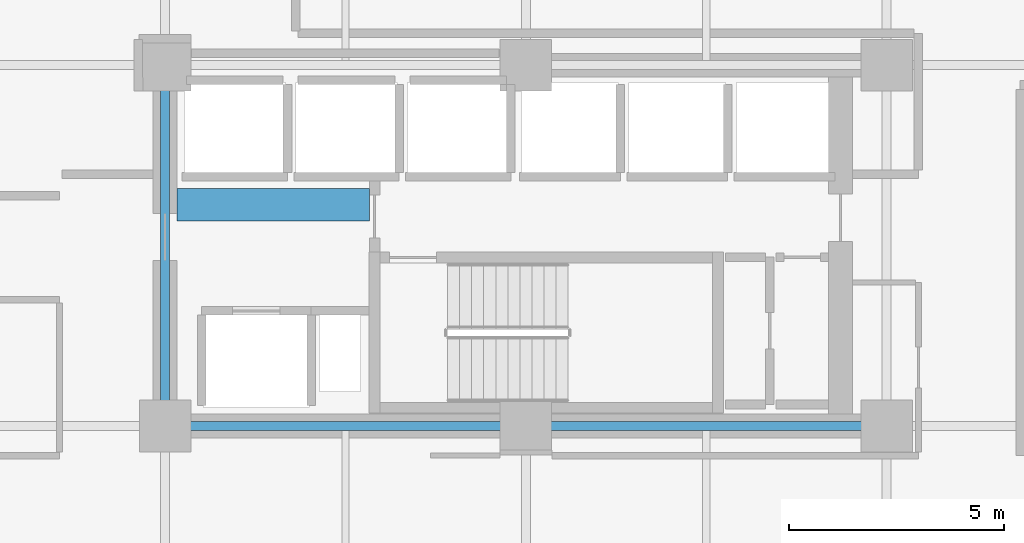
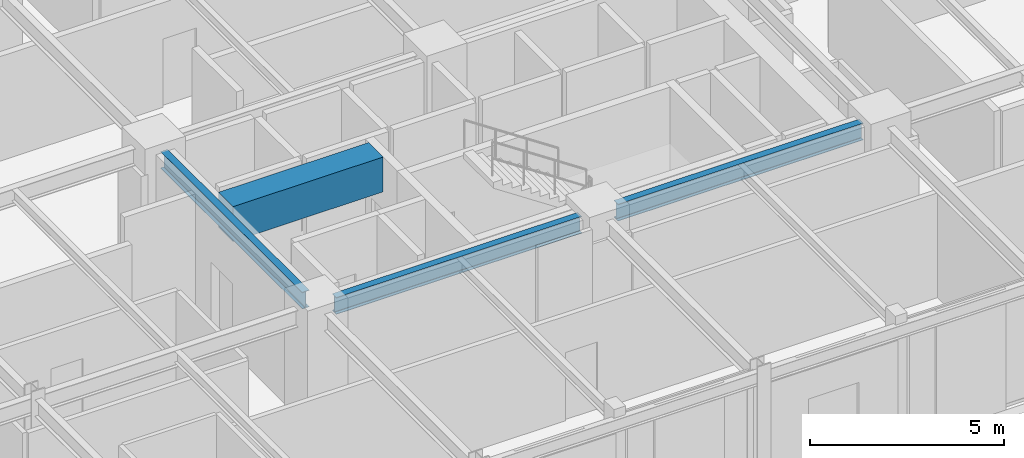
# One storey, part 10 of 38: 4 beams.
"""IFC4 building model written with IfcOpenShell, lengths in metres."""

from ifc_helpers import new_model, si_unit, direction, frame, origin, origin_2d, place, context, subcontext, project, spatial, rectangle, i_section, extrude, material, material_profile, profile_set, type_object, element, save


model = new_model("IFC4")

# Units and contexts
model_context = context("Model", 3, precision=1e-05, world=origin(), true_north=direction((0.0, 1.0)))
body_context = subcontext(model_context, "Body", "Model", "MODEL_VIEW")
ifc_project = project(units=[si_unit("LENGTHUNIT", "METRE"), si_unit("AREAUNIT", "SQUARE_METRE"), si_unit("VOLUMEUNIT", "CUBIC_METRE"), si_unit("PLANEANGLEUNIT", "RADIAN"), si_unit("MASSUNIT", "GRAM", prefix="KILO")], contexts=[model_context])

# Site, building, storey
site_placement = place(None, origin())
site = spatial("IfcSite", under=ifc_project, at=site_placement, CompositionType="ELEMENT")
building_placement = place(site_placement, origin())
building = spatial("IfcBuilding", under=site, at=building_placement, Name="Nerrivon Quay Data Exchange", CompositionType="ELEMENT")
storey_placement = place(building_placement, frame((0.0, 0.0, 96.699951171875)))
storey = spatial("IfcBuildingStorey", under=building, at=storey_placement, Name="L22", CompositionType="ELEMENT", Elevation=96.699951171875)

# Beams
ifc_material_1 = material(Name="Concrete S65 (65 MPa)", Category="concrete")
ifc_material_profile_1 = material_profile(ifc_material_1, rectangle(XDim=0.75, YDim=1.10009765625, at=origin_2d()), Name="RC-CB-750x1100")
ifc_profile_set_1 = profile_set([ifc_material_profile_1], Name="Concrete S65 (65 MPa)")
beam_type_1 = type_object("IfcBeamType", Name="BM-CB1-750x1100", PredefinedType="LINTEL", material=ifc_profile_set_1)
beam_1_placement = place(storey_placement, frame((17.074951171875, 13.550048828125, 3.275146484375), z_axis=(1.0, 0.0, 0.0), x_axis=(0.0, 1.0, 0.0)))
element("IfcBeam", 1, at=beam_1_placement, inside=storey, type_object=beam_type_1, Name="L22 East Core Coupling Beam", PredefinedType="LINTEL", context=body_context, shape_type="SweptSolid", body=[
    extrude(rectangle(XDim=0.75, YDim=1.10009765625, at=origin_2d()), origin(), (0.0, 0.0, 1.0), 4.47998046875),
])
ifc_material_2 = material(Name="Steel Grade 350", Category="steel")
ifc_material_profile_2 = material_profile(ifc_material_2, i_section(OverallWidth=0.208984375, OverallDepth=0.532958984375, WebThickness=0.01025390625, FlangeThickness=0.015625, FilletRadius=0.013916015625, at=origin_2d()), Name="530UB92.4")
ifc_profile_set_2 = profile_set([ifc_material_profile_2], Name="Steel Grade 350")
beam_type_2 = type_object("IfcBeamType", Name="BM-G3-530UB92", PredefinedType="BEAM", material=ifc_profile_set_2)
beam_2_placement = place(storey_placement, frame((17.340087890625, 8.39990234375, 3.55859375), z_axis=(1.0, 0.0, 0.0), x_axis=(0.0, 1.0, 0.0)))
element("IfcBeam", 2, at=beam_2_placement, inside=storey, type_object=beam_type_2, Name="L22 EW Girder Y=8.4 (16.8..25.2)", PredefinedType="BEAM", context=body_context, shape_type="SweptSolid", body=[
    extrude(i_section(OverallWidth=0.208984375, OverallDepth=0.532958984375, WebThickness=0.01025390625, FlangeThickness=0.015625, FilletRadius=0.013916015625, at=origin_2d()), origin(), (0.0, 0.0, 1.0), 7.31982421875),
])
beam_3_placement = place(storey_placement, frame((25.739990234375, 8.39990234375, 3.55859375), z_axis=(1.0, 0.0, 0.0), x_axis=(0.0, 1.0, 0.0)))
element("IfcBeam", 3, at=beam_3_placement, inside=storey, type_object=beam_type_2, Name="L22 EW Girder Y=8.4 (25.2..33.6)", PredefinedType="BEAM", context=body_context, shape_type="SweptSolid", body=[
    extrude(i_section(OverallWidth=0.208984375, OverallDepth=0.532958984375, WebThickness=0.01025390625, FlangeThickness=0.015625, FilletRadius=0.013916015625, at=origin_2d()), origin(), (0.0, 0.0, 1.0), 7.320068359375),
])
ifc_material_profile_3 = material_profile(ifc_material_2, i_section(OverallWidth=0.208984375, OverallDepth=0.528076171875, WebThickness=0.009521484375, FlangeThickness=0.01318359375, FilletRadius=0.013916015625, at=origin_2d()), Name="530UB82.0")
ifc_profile_set_3 = profile_set([ifc_material_profile_3], Name="Steel Grade 350")
beam_type_3 = type_object("IfcBeamType", Name="BM-G4-530UB82", PredefinedType="BEAM", material=ifc_profile_set_3)
beam_4_placement = place(storey_placement, frame((16.800048828125, 8.93994140625, 3.56103515625), z_axis=(0.0, 1.0, 0.0), x_axis=(-1.0, 0.0, 0.0)))
element("IfcBeam", 4, at=beam_4_placement, inside=storey, type_object=beam_type_3, Name="L22 NS Girder X=16.8 (8.4..16.8)", PredefinedType="BEAM", context=body_context, shape_type="SweptSolid", body=[
    extrude(i_section(OverallWidth=0.208984375, OverallDepth=0.528076171875, WebThickness=0.009521484375, FlangeThickness=0.01318359375, FilletRadius=0.013916015625, at=origin_2d()), origin(), (0.0, 0.0, 1.0), 7.320068359375),
])

save(model, "model.ifc")
